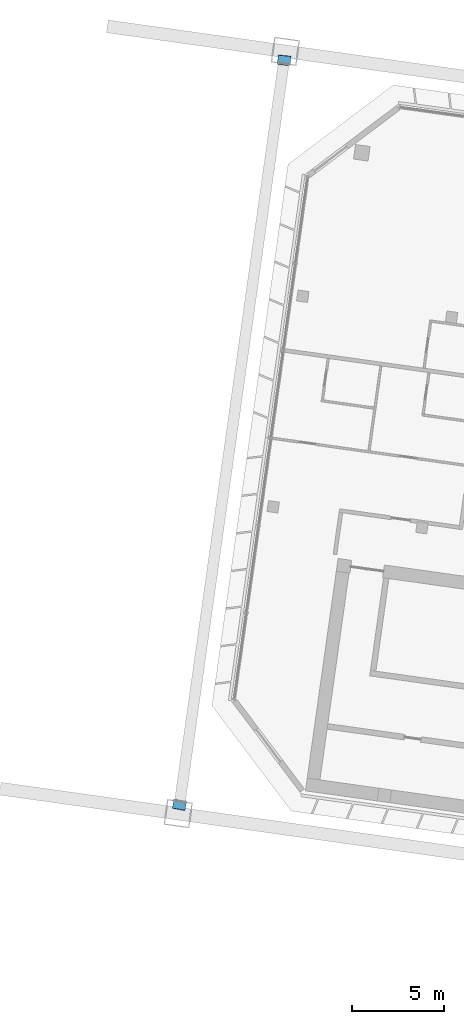
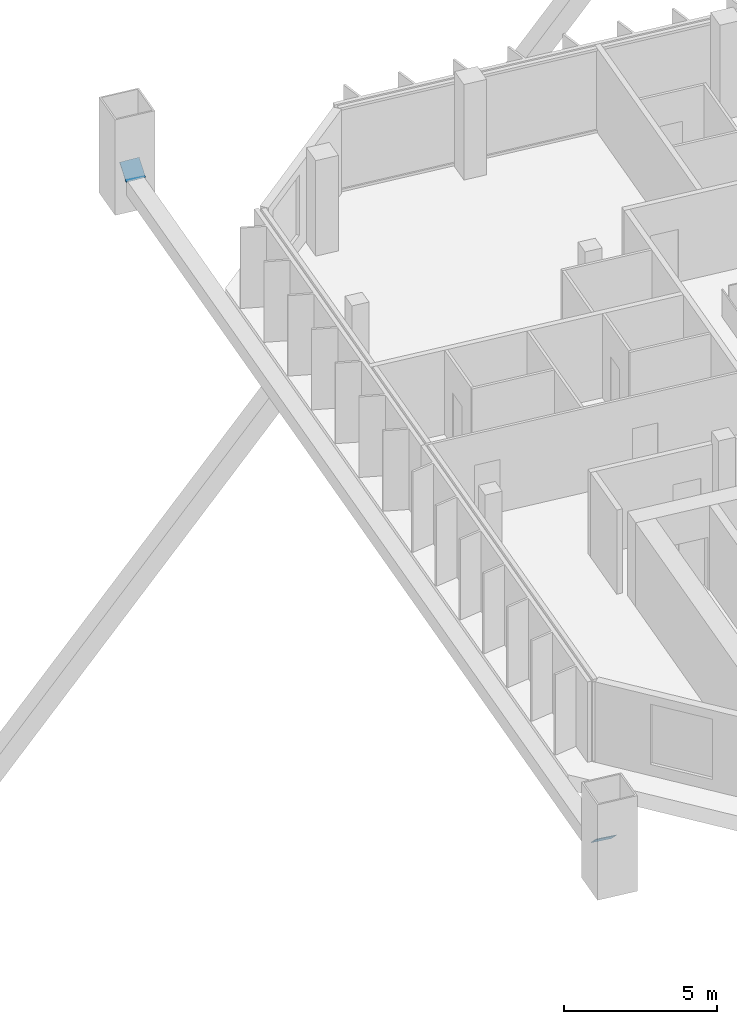
# One storey, part 33 of 38: 2 discrete accessories.
"""IFC4 building model written with IfcOpenShell, lengths in metres."""

from ifc_helpers import new_model, si_unit, direction, frame, origin, origin_2d, place, context, subcontext, project, spatial, rectangle, extrude, material, material_profile, profile_set, type_object, element, save


model = new_model("IFC4")

# Units and contexts
model_context = context("Model", 3, precision=1e-05, world=origin(), true_north=direction((0.0, 1.0)))
body_context = subcontext(model_context, "Body", "Model", "MODEL_VIEW")
ifc_project = project(units=[si_unit("LENGTHUNIT", "METRE"), si_unit("AREAUNIT", "SQUARE_METRE"), si_unit("VOLUMEUNIT", "CUBIC_METRE"), si_unit("PLANEANGLEUNIT", "RADIAN"), si_unit("MASSUNIT", "GRAM", prefix="KILO")], contexts=[model_context])

# Site, building, storey
site_placement = place(None, origin())
site = spatial("IfcSite", under=ifc_project, at=site_placement, CompositionType="ELEMENT")
building_placement = place(site_placement, origin())
building = spatial("IfcBuilding", under=site, at=building_placement, Name="Mirante Cascada Hotel Towers", CompositionType="ELEMENT")
storey_placement = place(building_placement, frame((0.0, 0.0, 184.0)))
storey = spatial("IfcBuildingStorey", under=building, at=storey_placement, Name="L43", CompositionType="ELEMENT", Elevation=184.0)

# Discrete accessories
ifc_material = material(Name="Steel ASTM A572 Gr 50", Category="steel")
ifc_material_profile = material_profile(ifc_material, rectangle(XDim=0.7, YDim=0.7, at=origin_2d()), Name="Connection plate 700x700x25 ASTM A572 Gr 50")
ifc_profile_set = profile_set([ifc_material_profile], Name="Steel ASTM A572 Gr 50")
discrete_accessory_type = type_object("IfcDiscreteAccessoryType", Name="Connection plate 700x700x25 ASTM A572 Gr 50", PredefinedType="BRACKET", material=ifc_profile_set)
for number, where, z_axis, x_axis, name in (
    (1, (-88.3106, -14.5225, 1.4855), (0.1201809, 0.6650009, 0.7371094), (-0.9840591, 0.177842, 0.0), "Connection plate MB-OL43L"),
    (2, (-82.6001, 26.11, 1.4855), (-0.0680714, -0.6727054, 0.7367725), (0.9949192, -0.1006764, 0.0), "Connection plate MB-OL43R"),
):
    element("IfcDiscreteAccessory", number, at=place(storey_placement, frame(where, z_axis=z_axis, x_axis=x_axis)), inside=storey, type_object=discrete_accessory_type, Name=name, PredefinedType="BRACKET", context=body_context, shape_type="SweptSolid", body=[
        extrude(rectangle(XDim=0.7, YDim=0.7, at=origin_2d()), origin(), (0.0, 0.0, 1.0), 0.025),
    ])

save(model, "model.ifc")
